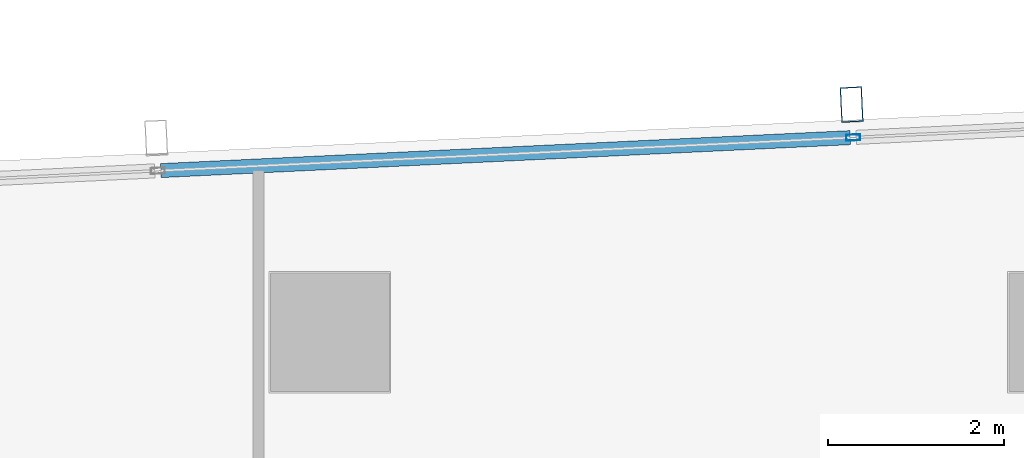
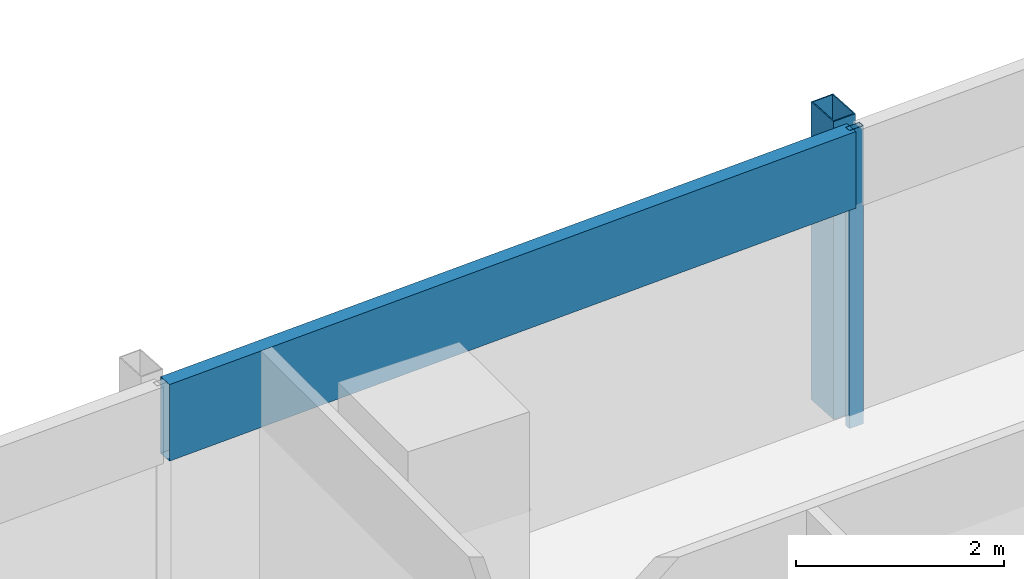
# One storey, part 18 of 38: 3 members, 1 element without a shape of its own.
"""IFC4 building model written with IfcOpenShell, lengths in metres."""

from ifc_helpers import new_model, si_unit, direction, frame, origin, origin_2d, place, context, subcontext, project, spatial, hollow_rectangle, extrude, material, material_profile, profile_set, type_object, element, aggregate, save


model = new_model("IFC4")

# Units and contexts
model_context = context("Model", 3, precision=1e-05, world=origin(), true_north=direction((0.0, 1.0)))
body_context = subcontext(model_context, "Body", "Model", "MODEL_VIEW")
ifc_project = project(units=[si_unit("LENGTHUNIT", "METRE"), si_unit("AREAUNIT", "SQUARE_METRE"), si_unit("VOLUMEUNIT", "CUBIC_METRE"), si_unit("PLANEANGLEUNIT", "RADIAN"), si_unit("MASSUNIT", "GRAM", prefix="KILO")], contexts=[model_context])

# Site, building, storey
site_placement = place(None, origin())
site = spatial("IfcSite", under=ifc_project, at=site_placement, CompositionType="ELEMENT")
building_placement = place(site_placement, origin())
building = spatial("IfcBuilding", under=site, at=building_placement, Name="Rekha Terrace Tower", CompositionType="ELEMENT")
storey_placement = place(building_placement, frame((0.0, 0.0, 195.199951171875)))
storey = spatial("IfcBuildingStorey", under=building, at=storey_placement, Name="L49", CompositionType="ELEMENT", Elevation=195.199951171875)

# Curtain wall, members
ifc_material_1 = material(Name="Aluminium framing", Category="aluminium")
curtain_wall_type = type_object("IfcCurtainWallType", Name="CW3 north unitised glazing", PredefinedType="USERDEFINED", material=ifc_material_1)
curtain_wall_placement = place(storey_placement, origin())
curtain_wall = element("IfcCurtainWall", 1, at=curtain_wall_placement, inside=storey, type_object=curtain_wall_type, Name="CW3 unitised curtain wall", ObjectType="UNITISED CURTAIN WALL", PredefinedType="USERDEFINED")
ifc_material_2 = material(Name="Steel S355 with fluorocarbon finish", Category="steel")
ifc_material_profile_1 = material_profile(ifc_material_2, hollow_rectangle(XDim=0.25, YDim=0.39990234375, WallThickness=0.012451171875, at=origin_2d()), Name="RHS400x250x12.5")
ifc_profile_set_1 = profile_set([ifc_material_profile_1], Name="Steel S355 with fluorocarbon finish")
member_type_1 = type_object("IfcMemberType", Name="BL1 facade blade RHS 400 x 250", PredefinedType="USERDEFINED", material=ifc_profile_set_1)
member_1_placement = place(storey_placement, frame((22.734130859375, 61.389404296875, 0.0), z_axis=(0.0, 0.0, 1.0), x_axis=(-0.998858913274, -0.04775846913, 0.0)))
member_1 = element("IfcMember", 2, at=member_1_placement, type_object=member_type_1, Name="Facade blade", ObjectType="FACADE BLADE", PredefinedType="USERDEFINED", context=body_context, shape_type="SweptSolid", body=[
    extrude(hollow_rectangle(XDim=0.25, YDim=0.39990234375, WallThickness=0.012451171875, at=origin_2d()), origin(), (0.0, 0.0, 1.0), 3.5),
])
ifc_material_3 = material(Name="Aluminium mullion section", Category="aluminium")
ifc_material_profile_2 = material_profile(ifc_material_3, hollow_rectangle(XDim=0.070068359375, YDim=0.159912109375, WallThickness=0.00390625, at=origin_2d()), Name="AL RHS 70x160")
ifc_profile_set_2 = profile_set([ifc_material_profile_2], Name="Aluminium mullion section")
member_type_2 = type_object("IfcMemberType", Name="CW3 mullion RHS 70 x 160", PredefinedType="MULLION", material=ifc_profile_set_2)
member_2_placement = place(storey_placement, frame((22.751953125, 61.014892578125, 0.0), z_axis=(0.0, 0.0, 1.0), x_axis=(0.047758616983, -0.998858906204, 0.0)))
member_2 = element("IfcMember", 3, at=member_2_placement, type_object=member_type_2, Name="CW3 mullion 4", PredefinedType="MULLION", context=body_context, shape_type="SweptSolid", body=[
    extrude(hollow_rectangle(XDim=0.070068359375, YDim=0.159912109375, WallThickness=0.00390625, at=origin_2d()), origin(), (0.0, 0.0, 1.0), 3.5),
])
ifc_material_4 = material(Name="Insulated aluminium spandrel box", Category="aluminium")
ifc_material_profile_3 = material_profile(ifc_material_4, hollow_rectangle(XDim=0.159912109375, YDim=0.89990234375, WallThickness=0.0029296875, at=origin_2d()), Name="AL SPANDREL BOX 160x900")
ifc_profile_set_3 = profile_set([ifc_material_profile_3], Name="Insulated aluminium spandrel box")
member_type_3 = type_object("IfcMemberType", Name="CW3 spandrel transom 160 x 900", PredefinedType="USERDEFINED", material=ifc_profile_set_3)
member_3_placement = place(storey_placement, frame((22.717041015625, 61.01318359375, 3.050048828125), z_axis=(-0.998859252362, -0.047751376635, 0.0), x_axis=(0.047751376635, -0.998859252362, 0.0)))
member_3 = element("IfcMember", 4, at=member_3_placement, type_object=member_type_3, Name="CW3 spandrel transom 4", ObjectType="TRANSOM", PredefinedType="USERDEFINED", context=body_context, shape_type="SweptSolid", body=[
    extrude(hollow_rectangle(XDim=0.159912109375, YDim=0.89990234375, WallThickness=0.0029296875, at=origin_2d()), origin(), (0.0, 0.0, 1.0), 7.84814453125),
])
aggregate(curtain_wall, [member_2, member_3, member_1])

save(model, "model.ifc")
